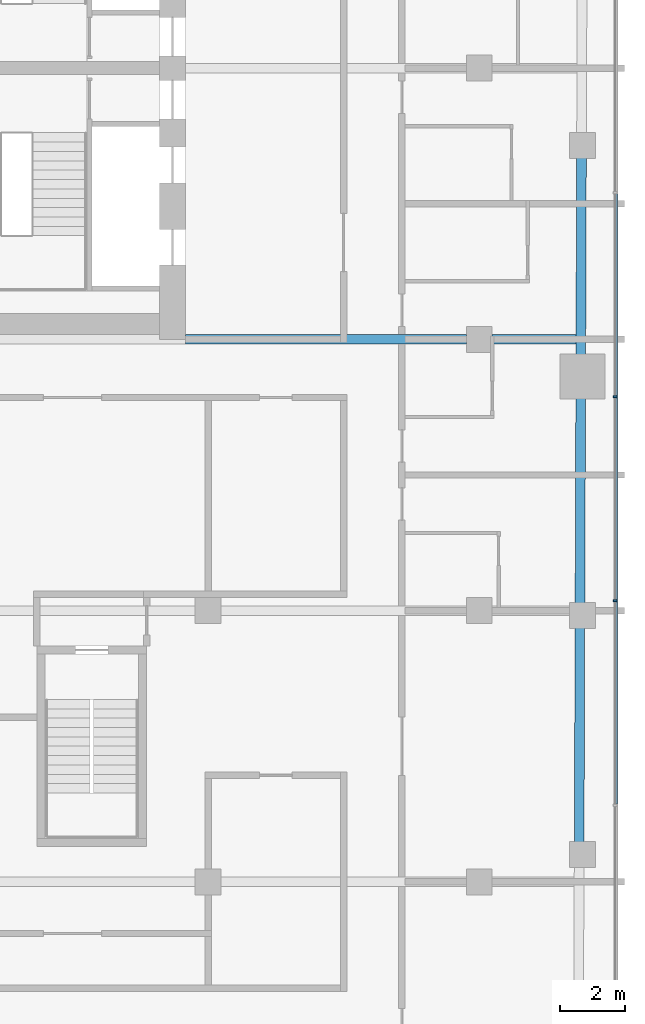
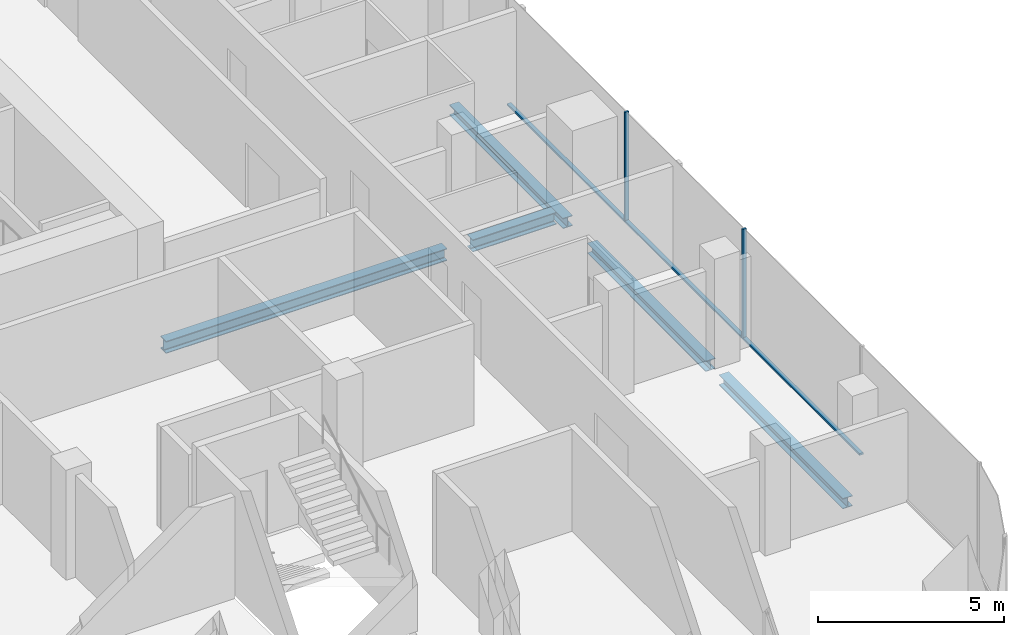
# One storey, part 7 of 21: 5 beams, 5 members, 1 element without a shape of its own.
"""IFC4 building model written with IfcOpenShell, lengths in metres."""

from ifc_helpers import new_model, si_unit, direction, frame, origin, origin_2d, place, context, subcontext, project, spatial, rectangle, i_section, extrude, material, layer, layer_set, material_profile, profile_set, type_object, element, aggregate, save


model = new_model("IFC4")

# Units and contexts
model_context = context("Model", 3, precision=1e-05, world=origin(), true_north=direction((0.0, 1.0)))
body_context = subcontext(model_context, "Body", "Model", "MODEL_VIEW")
ifc_project = project(units=[si_unit("LENGTHUNIT", "METRE"), si_unit("AREAUNIT", "SQUARE_METRE"), si_unit("VOLUMEUNIT", "CUBIC_METRE"), si_unit("PLANEANGLEUNIT", "RADIAN"), si_unit("MASSUNIT", "GRAM", prefix="KILO")], contexts=[model_context])

# Site, building, storey
site_placement = place(None, origin())
site = spatial("IfcSite", under=ifc_project, at=site_placement, CompositionType="ELEMENT")
building_placement = place(site_placement, origin())
building = spatial("IfcBuilding", under=site, at=building_placement, Name="Marenta Gate Hotel Tower", CompositionType="ELEMENT")
storey_placement = place(building_placement, frame((0.0, 0.0, 245.300048828125)))
storey = spatial("IfcBuildingStorey", under=building, at=storey_placement, Name="L58", CompositionType="ELEMENT", Elevation=245.300048828125)

# Beams
ifc_material_1 = material(Name="Steel S355", Category="steel")
ifc_material_profile_1 = material_profile(ifc_material_1, i_section(OverallWidth=0.300048828125, OverallDepth=0.340087890625, WebThickness=0.011962890625, FlangeThickness=0.021484375, FilletRadius=0.027099609375, at=origin_2d()), Name="HEB 340")
ifc_profile_set_1 = profile_set([ifc_material_profile_1], Name="Steel S355")
beam_type_1 = type_object("IfcBeamType", Name="Edge beam HEB 340", PredefinedType="SPANDREL", material=ifc_profile_set_1)
beam_1_placement = place(storey_placement, frame((24.164306640625, 5.643310546875, -0.429931640625), z_axis=(-0.003303859048, -0.999994542243, 0.0), x_axis=(0.999994542243, -0.003303859048, 0.0)))
element("IfcBeam", 1, at=beam_1_placement, inside=storey, type_object=beam_type_1, Name="L58-EB-24", PredefinedType="SPANDREL", context=body_context, shape_type="SweptSolid", body=[
    extrude(i_section(OverallWidth=0.300048828125, OverallDepth=0.340087890625, WebThickness=0.011962890625, FlangeThickness=0.021484375, FilletRadius=0.027099609375, at=origin_2d()), origin(), (0.0, 0.0, 1.0), 6.13330078125),
])
beam_2_placement = place(storey_placement, frame((24.1396484375, -1.81005859375, -0.429931640625), z_axis=(-0.003328723523, -0.999994459785, 0.0), x_axis=(0.999994459785, -0.003328723523, 0.0)))
element("IfcBeam", 2, at=beam_2_placement, inside=storey, type_object=beam_type_1, Name="L58-EB-25", PredefinedType="SPANDREL", context=body_context, shape_type="SweptSolid", body=[
    extrude(i_section(OverallWidth=0.300048828125, OverallDepth=0.340087890625, WebThickness=0.011962890625, FlangeThickness=0.021484375, FilletRadius=0.027099609375, at=origin_2d()), origin(), (0.0, 0.0, 1.0), 6.380859375),
])
beam_3_placement = place(storey_placement, frame((24.115966796875, -8.910888671875, -0.429931640625), z_axis=(-0.00332539729, -0.999994470851, 0.0), x_axis=(0.999994470851, -0.00332539729, 0.0)))
element("IfcBeam", 3, at=beam_3_placement, inside=storey, type_object=beam_type_1, Name="L58-EB-26", PredefinedType="SPANDREL", context=body_context, shape_type="SweptSolid", body=[
    extrude(i_section(OverallWidth=0.300048828125, OverallDepth=0.340087890625, WebThickness=0.011962890625, FlangeThickness=0.021484375, FilletRadius=0.027099609375, at=origin_2d()), origin(), (0.0, 0.0, 1.0), 6.680908203125),
])
ifc_material_2 = material(Name="Steel S355", Category="steel")
ifc_material_profile_2 = material_profile(ifc_material_2, i_section(OverallWidth=0.300048828125, OverallDepth=0.39990234375, WebThickness=0.013427734375, FlangeThickness=0.02392578125, FilletRadius=0.027099609375, at=origin_2d()), Name="HEB 400")
ifc_profile_set_2 = profile_set([ifc_material_profile_2], Name="Steel S355")
beam_type_2 = type_object("IfcBeamType", Name="Girder HEB 400", PredefinedType="BEAM", material=ifc_profile_set_2)
beam_4_placement = place(storey_placement, frame((11.89990234375, 0.0, -0.4599609375), z_axis=(1.0, 0.0, 0.0), x_axis=(0.0, 1.0, 0.0)))
element("IfcBeam", 4, at=beam_4_placement, inside=storey, type_object=beam_type_2, Name="L58-GD-23", PredefinedType="BEAM", context=body_context, shape_type="SweptSolid", body=[
    extrude(i_section(OverallWidth=0.300048828125, OverallDepth=0.39990234375, WebThickness=0.013427734375, FlangeThickness=0.02392578125, FilletRadius=0.027099609375, at=origin_2d()), origin(), (0.0, 0.0, 1.0), 8.7001953125),
])
beam_5_placement = place(storey_placement, frame((21.39990234375, 0.0, -0.4599609375), z_axis=(1.0, 0.0, 0.0), x_axis=(0.0, 1.0, 0.0)))
element("IfcBeam", 5, at=beam_5_placement, inside=storey, type_object=beam_type_2, Name="L58-GD-24", PredefinedType="BEAM", context=body_context, shape_type="SweptSolid", body=[
    extrude(i_section(OverallWidth=0.300048828125, OverallDepth=0.39990234375, WebThickness=0.013427734375, FlangeThickness=0.02392578125, FilletRadius=0.027099609375, at=origin_2d()), origin(), (0.0, 0.0, 1.0), 2.595703125),
])

# Curtain wall, members
ifc_material_3 = material(Name="Tinted insulated glass in bronze anodised frame", Category="glass")
ifc_layer = layer(ifc_material_3, 0.1201171875)
ifc_layer_set = layer_set([ifc_layer], Name="Tinted insulated glass in bronze anodised frame")
curtain_wall_type = type_object("IfcCurtainWallType", Name="Tower unitised curtain wall CW1", PredefinedType="NOTDEFINED", material=ifc_layer_set)
curtain_wall_placement = place(storey_placement, origin())
curtain_wall = element("IfcCurtainWall", 6, at=curtain_wall_placement, inside=storey, type_object=curtain_wall_type, Name="CW1 run G11", PredefinedType="NOTDEFINED")
ifc_material_4 = material(Name="Bronze anodised aluminium", Category="aluminium")
ifc_material_profile_3 = material_profile(ifc_material_4, rectangle(XDim=0.1201171875, YDim=0.06005859375, at=origin_2d()), Name="Mullion CW1 60x120 bronze anodised aluminium")
ifc_profile_set_3 = profile_set([ifc_material_profile_3], Name="Bronze anodised aluminium")
member_type_1 = type_object("IfcMemberType", Name="Mullion CW1 60x120 bronze anodised aluminium", PredefinedType="MULLION", material=ifc_profile_set_3)
member_1_placement = place(storey_placement, frame((25.214111328125, -8.0986328125, 0.0), z_axis=(0.0, 0.0, 1.0), x_axis=(-1.0, 0.0, 0.0)))
member_1 = element("IfcMember", 7, at=member_1_placement, type_object=member_type_1, Name="CW1 mullion 3", PredefinedType="MULLION", context=body_context, shape_type="SweptSolid", body=[
    extrude(rectangle(XDim=0.1201171875, YDim=0.06005859375, at=origin_2d()), origin(), (0.0, 0.0, 1.0), 3.599853515625),
])
member_2_placement = place(storey_placement, frame((25.214111328125, -1.77587890625, 0.0), z_axis=(0.0, 0.0, 1.0), x_axis=(-1.0, 0.0, 0.0)))
member_2 = element("IfcMember", 8, at=member_2_placement, type_object=member_type_1, Name="CW1 mullion 4", PredefinedType="MULLION", context=body_context, shape_type="SweptSolid", body=[
    extrude(rectangle(XDim=0.1201171875, YDim=0.06005859375, at=origin_2d()), origin(), (0.0, 0.0, 1.0), 3.599853515625),
])
ifc_material_5 = material(Name="Bronze anodised aluminium", Category="aluminium")
ifc_material_profile_4 = material_profile(ifc_material_5, rectangle(XDim=0.1201171875, YDim=0.06005859375, at=origin_2d()), Name="Transom CW1 60x120 bronze anodised aluminium")
ifc_profile_set_4 = profile_set([ifc_material_profile_4], Name="Bronze anodised aluminium")
member_type_2 = type_object("IfcMemberType", Name="Transom CW1 60x120 bronze anodised aluminium", PredefinedType="USERDEFINED", material=ifc_profile_set_4)
member_3_placement = place(storey_placement, frame((25.214111328125, -14.391357421875, 0.030029296875), z_axis=(0.0, 1.0, 0.0), x_axis=(-1.0, 0.0, 0.0)))
member_3 = element("IfcMember", 9, at=member_3_placement, type_object=member_type_2, Name="CW1 transom 2.1", ObjectType="TRANSOM", PredefinedType="USERDEFINED", context=body_context, shape_type="SweptSolid", body=[
    extrude(rectangle(XDim=0.1201171875, YDim=0.06005859375, at=origin_2d()), origin(), (0.0, 0.0, 1.0), 6.2626953125),
])
member_4_placement = place(storey_placement, frame((25.214111328125, -8.068603515625, 0.030029296875), z_axis=(0.0, 1.0, 0.0), x_axis=(-1.0, 0.0, 0.0)))
member_4 = element("IfcMember", 10, at=member_4_placement, type_object=member_type_2, Name="CW1 transom 3.1", ObjectType="TRANSOM", PredefinedType="USERDEFINED", context=body_context, shape_type="SweptSolid", body=[
    extrude(rectangle(XDim=0.1201171875, YDim=0.06005859375, at=origin_2d()), origin(), (0.0, 0.0, 1.0), 6.2626953125),
])
member_5_placement = place(storey_placement, frame((25.214111328125, -1.74609375, 0.030029296875), z_axis=(0.0, 1.0, 0.0), x_axis=(-1.0, 0.0, 0.0)))
member_5 = element("IfcMember", 11, at=member_5_placement, type_object=member_type_2, Name="CW1 transom 4.1", ObjectType="TRANSOM", PredefinedType="USERDEFINED", context=body_context, shape_type="SweptSolid", body=[
    extrude(rectangle(XDim=0.1201171875, YDim=0.06005859375, at=origin_2d()), origin(), (0.0, 0.0, 1.0), 6.2626953125),
])
aggregate(curtain_wall, [member_1, member_2, member_3, member_4, member_5])

save(model, "model.ifc")
